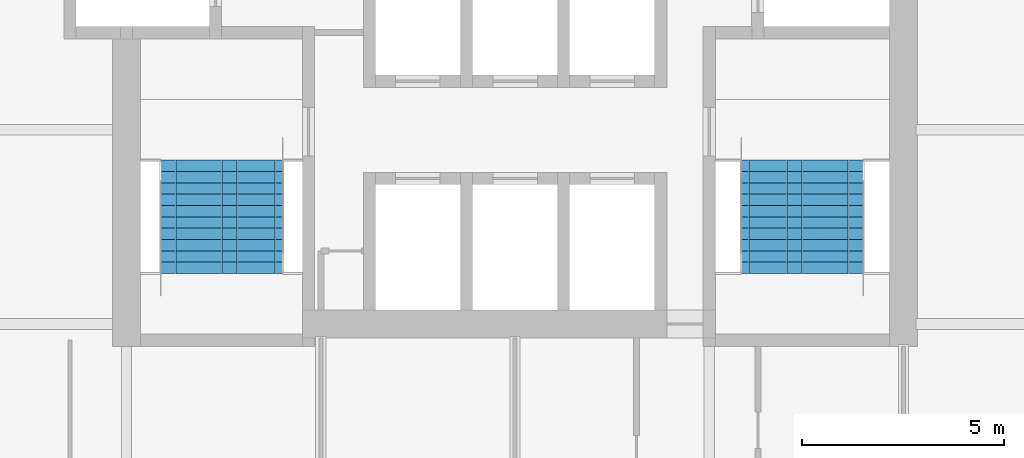
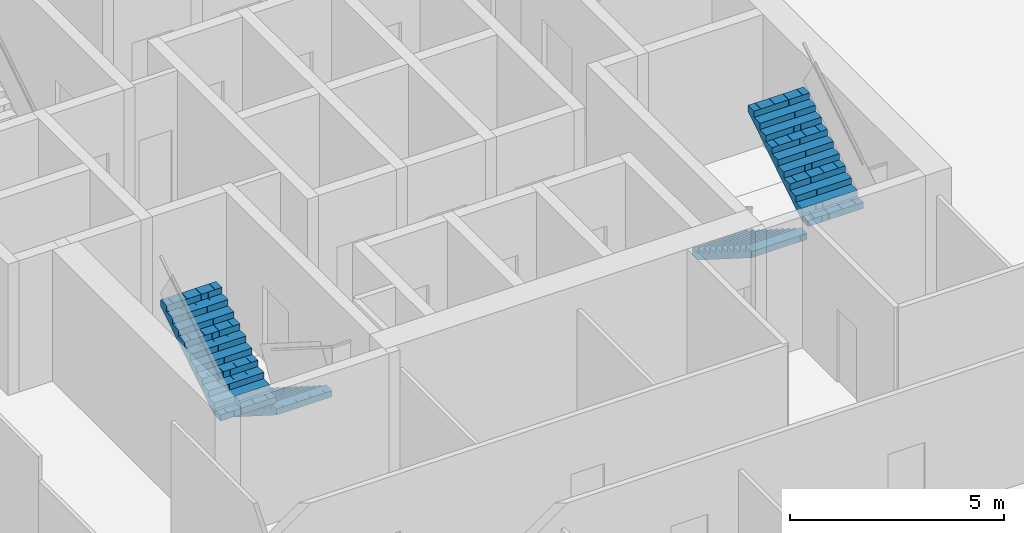
# One storey, part 12 of 15: 4 stair flights, 2 elements without a shape of their own.
"""IFC4 building model written with IfcOpenShell, lengths in metres."""

from ifc_helpers import new_model, si_unit, direction, frame, origin, place, context, subcontext, project, spatial, polyline, outline, extrude, material, type_object, element, aggregate, save


model = new_model("IFC4")

# Units and contexts
model_context = context("Model", 3, precision=1e-05, world=origin(), true_north=direction((0.0, 1.0)))
body_context = subcontext(model_context, "Body", "Model", "MODEL_VIEW")
ifc_project = project(units=[si_unit("LENGTHUNIT", "METRE"), si_unit("AREAUNIT", "SQUARE_METRE"), si_unit("VOLUMEUNIT", "CUBIC_METRE"), si_unit("PLANEANGLEUNIT", "RADIAN"), si_unit("MASSUNIT", "GRAM", prefix="KILO")], contexts=[model_context])

# Site, building, storey
site_placement = place(None, origin())
site = spatial("IfcSite", under=ifc_project, at=site_placement, CompositionType="ELEMENT")
building_placement = place(site_placement, origin())
building = spatial("IfcBuilding", under=site, at=building_placement, Name="Kolab Exchange Tower", CompositionType="ELEMENT")
storey_placement = place(building_placement, frame((0.0, 0.0, 205.10009765625)))
storey = spatial("IfcBuildingStorey", under=building, at=storey_placement, Name="L44", CompositionType="ELEMENT", Elevation=205.10009765625)

# Stair, stair flights
ifc_material = material(Name="Concrete C50/60", Category="concrete")
stair_type_1 = type_object("IfcStairType", Name="STAIR ST3 RISER 177.3", PredefinedType="HALF_TURN_STAIR", material=ifc_material)
stair_1_placement = place(storey_placement, origin())
stair_1 = element("IfcStair", 1, at=stair_1_placement, inside=storey, type_object=stair_type_1, Name="Stair 3", PredefinedType="HALF_TURN_STAIR")
stair_flight_type = type_object("IfcStairFlightType", Name="STAIR FLIGHT 1500 RISER 177.3", PredefinedType="STRAIGHT", material=ifc_material)
stair_flight_1_placement = place(storey_placement, frame((-6.489990234375, -5.550048828125, 0.0), z_axis=(0.0, 0.0, 1.0), x_axis=(0.0, -1.0, 0.0)))
stair_flight_1 = element("IfcStairFlight", 2, at=stair_flight_1_placement, type_object=stair_flight_type, Name="ST3 flight 1", NumberOfRisers=11, NumberOfTreads=10, PredefinedType="STRAIGHT", RiserHeight=0.177272727, TreadLength=0.28, context=body_context, shape_type="SweptSolid", body=[
    extrude(outline(polyline([(0.0, 0.0), (0.0, 0.17724609375), (0.280029296875, 0.17724609375), (0.280029296875, 0.3544921875), (0.56005859375, 0.3544921875), (0.56005859375, 0.53173828125), (0.840087890625, 0.53173828125), (0.840087890625, 0.708984375), (1.1201171875, 0.708984375), (1.1201171875, 0.886474609375), (1.39990234375, 0.886474609375), (1.39990234375, 1.063720703125), (1.679931640625, 1.063720703125), (1.679931640625, 1.240966796875), (1.9599609375, 1.240966796875), (1.9599609375, 1.418212890625), (2.239990234375, 1.418212890625), (2.239990234375, 1.595458984375), (2.52001953125, 1.595458984375), (2.52001953125, 1.772705078125), (2.800048828125, 1.772705078125), (2.800048828125, 1.949951171875), (2.800048828125, 1.59521484375), (0.2802734375, 0.0), (0.0, 0.0)])), frame((0.0, 0.75, 0.0), z_axis=(0.0, -1.0, 0.0), x_axis=(1.0, 0.0, 0.0)), (0.0, 0.0, 1.0), 0.185791015625),
    extrude(outline(polyline([(0.0, 0.0), (0.0, 0.17724609375), (0.280029296875, 0.17724609375), (0.280029296875, 0.3544921875), (0.56005859375, 0.3544921875), (0.56005859375, 0.53173828125), (0.840087890625, 0.53173828125), (0.840087890625, 0.708984375), (1.1201171875, 0.708984375), (1.1201171875, 0.886474609375), (1.39990234375, 0.886474609375), (1.39990234375, 1.063720703125), (1.679931640625, 1.063720703125), (1.679931640625, 1.240966796875), (1.9599609375, 1.240966796875), (1.9599609375, 1.418212890625), (2.239990234375, 1.418212890625), (2.239990234375, 1.595458984375), (2.52001953125, 1.595458984375), (2.52001953125, 1.772705078125), (2.800048828125, 1.772705078125), (2.800048828125, 1.949951171875), (2.800048828125, 1.59521484375), (0.2802734375, 0.0), (0.0, 0.0)])), frame((0.0, 0.562255859375, 0.0), z_axis=(0.0, -1.0, 0.0), x_axis=(1.0, 0.0, 0.0)), (0.0, 0.0, 1.0), 0.185791015625),
    extrude(outline(polyline([(0.0, 0.0), (0.0, 0.17724609375), (0.280029296875, 0.17724609375), (0.280029296875, 0.3544921875), (0.56005859375, 0.3544921875), (0.56005859375, 0.53173828125), (0.840087890625, 0.53173828125), (0.840087890625, 0.708984375), (1.1201171875, 0.708984375), (1.1201171875, 0.886474609375), (1.39990234375, 0.886474609375), (1.39990234375, 1.063720703125), (1.679931640625, 1.063720703125), (1.679931640625, 1.240966796875), (1.9599609375, 1.240966796875), (1.9599609375, 1.418212890625), (2.239990234375, 1.418212890625), (2.239990234375, 1.595458984375), (2.52001953125, 1.595458984375), (2.52001953125, 1.772705078125), (2.800048828125, 1.772705078125), (2.800048828125, 1.949951171875), (2.800048828125, 1.59521484375), (0.2802734375, 0.0), (0.0, 0.0)])), frame((0.0, 0.37451171875, 0.0), z_axis=(0.0, -1.0, 0.0), x_axis=(1.0, 0.0, 0.0)), (0.0, 0.0, 1.0), 0.185791015625),
    extrude(outline(polyline([(0.0, 0.0), (0.0, 0.17724609375), (0.280029296875, 0.17724609375), (0.280029296875, 0.3544921875), (0.56005859375, 0.3544921875), (0.56005859375, 0.53173828125), (0.840087890625, 0.53173828125), (0.840087890625, 0.708984375), (1.1201171875, 0.708984375), (1.1201171875, 0.886474609375), (1.39990234375, 0.886474609375), (1.39990234375, 1.063720703125), (1.679931640625, 1.063720703125), (1.679931640625, 1.240966796875), (1.9599609375, 1.240966796875), (1.9599609375, 1.418212890625), (2.239990234375, 1.418212890625), (2.239990234375, 1.595458984375), (2.52001953125, 1.595458984375), (2.52001953125, 1.772705078125), (2.800048828125, 1.772705078125), (2.800048828125, 1.949951171875), (2.800048828125, 1.59521484375), (0.2802734375, 0.0), (0.0, 0.0)])), frame((0.0, 0.186767578125, 0.0), z_axis=(0.0, -1.0, 0.0), x_axis=(1.0, 0.0, 0.0)), (0.0, 0.0, 1.0), 0.185791015625),
    extrude(outline(polyline([(0.0, 0.0), (0.0, 0.17724609375), (0.280029296875, 0.17724609375), (0.280029296875, 0.3544921875), (0.56005859375, 0.3544921875), (0.56005859375, 0.53173828125), (0.840087890625, 0.53173828125), (0.840087890625, 0.708984375), (1.1201171875, 0.708984375), (1.1201171875, 0.886474609375), (1.39990234375, 0.886474609375), (1.39990234375, 1.063720703125), (1.679931640625, 1.063720703125), (1.679931640625, 1.240966796875), (1.9599609375, 1.240966796875), (1.9599609375, 1.418212890625), (2.239990234375, 1.418212890625), (2.239990234375, 1.595458984375), (2.52001953125, 1.595458984375), (2.52001953125, 1.772705078125), (2.800048828125, 1.772705078125), (2.800048828125, 1.949951171875), (2.800048828125, 1.59521484375), (0.2802734375, 0.0), (0.0, 0.0)])), frame((0.0, -0.0009765625, 0.0), z_axis=(0.0, -1.0, 0.0), x_axis=(1.0, 0.0, 0.0)), (0.0, 0.0, 1.0), 0.185791015625),
    extrude(outline(polyline([(0.0, 0.0), (0.0, 0.17724609375), (0.280029296875, 0.17724609375), (0.280029296875, 0.3544921875), (0.56005859375, 0.3544921875), (0.56005859375, 0.53173828125), (0.840087890625, 0.53173828125), (0.840087890625, 0.708984375), (1.1201171875, 0.708984375), (1.1201171875, 0.886474609375), (1.39990234375, 0.886474609375), (1.39990234375, 1.063720703125), (1.679931640625, 1.063720703125), (1.679931640625, 1.240966796875), (1.9599609375, 1.240966796875), (1.9599609375, 1.418212890625), (2.239990234375, 1.418212890625), (2.239990234375, 1.595458984375), (2.52001953125, 1.595458984375), (2.52001953125, 1.772705078125), (2.800048828125, 1.772705078125), (2.800048828125, 1.949951171875), (2.800048828125, 1.59521484375), (0.2802734375, 0.0), (0.0, 0.0)])), frame((0.0, -0.188720703125, 0.0), z_axis=(0.0, -1.0, 0.0), x_axis=(1.0, 0.0, 0.0)), (0.0, 0.0, 1.0), 0.185791015625),
    extrude(outline(polyline([(0.0, 0.0), (0.0, 0.17724609375), (0.280029296875, 0.17724609375), (0.280029296875, 0.3544921875), (0.56005859375, 0.3544921875), (0.56005859375, 0.53173828125), (0.840087890625, 0.53173828125), (0.840087890625, 0.708984375), (1.1201171875, 0.708984375), (1.1201171875, 0.886474609375), (1.39990234375, 0.886474609375), (1.39990234375, 1.063720703125), (1.679931640625, 1.063720703125), (1.679931640625, 1.240966796875), (1.9599609375, 1.240966796875), (1.9599609375, 1.418212890625), (2.239990234375, 1.418212890625), (2.239990234375, 1.595458984375), (2.52001953125, 1.595458984375), (2.52001953125, 1.772705078125), (2.800048828125, 1.772705078125), (2.800048828125, 1.949951171875), (2.800048828125, 1.59521484375), (0.2802734375, 0.0), (0.0, 0.0)])), frame((0.0, -0.37646484375, 0.0), z_axis=(0.0, -1.0, 0.0), x_axis=(1.0, 0.0, 0.0)), (0.0, 0.0, 1.0), 0.185791015625),
    extrude(outline(polyline([(0.0, 0.0), (0.0, 0.17724609375), (0.280029296875, 0.17724609375), (0.280029296875, 0.3544921875), (0.56005859375, 0.3544921875), (0.56005859375, 0.53173828125), (0.840087890625, 0.53173828125), (0.840087890625, 0.708984375), (1.1201171875, 0.708984375), (1.1201171875, 0.886474609375), (1.39990234375, 0.886474609375), (1.39990234375, 1.063720703125), (1.679931640625, 1.063720703125), (1.679931640625, 1.240966796875), (1.9599609375, 1.240966796875), (1.9599609375, 1.418212890625), (2.239990234375, 1.418212890625), (2.239990234375, 1.595458984375), (2.52001953125, 1.595458984375), (2.52001953125, 1.772705078125), (2.800048828125, 1.772705078125), (2.800048828125, 1.949951171875), (2.800048828125, 1.59521484375), (0.2802734375, 0.0), (0.0, 0.0)])), frame((0.0, -0.564208984375, 0.0), z_axis=(0.0, -1.0, 0.0), x_axis=(1.0, 0.0, 0.0)), (0.0, 0.0, 1.0), 0.185791015625),
])
stair_flight_2_placement = place(storey_placement, frame((-8.010009765625, -8.35009765625, 1.949951171875), z_axis=(0.0, 0.0, 1.0), x_axis=(0.0, 1.0, 0.0)))
stair_flight_2 = element("IfcStairFlight", 3, at=stair_flight_2_placement, type_object=stair_flight_type, Name="ST3 flight 2", NumberOfRisers=11, NumberOfTreads=10, PredefinedType="STRAIGHT", RiserHeight=0.177272727, TreadLength=0.28, context=body_context, shape_type="SweptSolid", body=[
    extrude(outline(polyline([(0.0, 0.0), (0.0, 0.17724609375), (0.280029296875, 0.17724609375), (0.280029296875, 0.3544921875), (0.56005859375, 0.3544921875), (0.56005859375, 0.53173828125), (0.840087890625, 0.53173828125), (0.840087890625, 0.708984375), (1.1201171875, 0.708984375), (1.1201171875, 0.886474609375), (1.39990234375, 0.886474609375), (1.39990234375, 1.063720703125), (1.679931640625, 1.063720703125), (1.679931640625, 1.240966796875), (1.9599609375, 1.240966796875), (1.9599609375, 1.418212890625), (2.239990234375, 1.418212890625), (2.239990234375, 1.595458984375), (2.52001953125, 1.595458984375), (2.52001953125, 1.772705078125), (2.800048828125, 1.772705078125), (2.800048828125, 1.949951171875), (2.800048828125, 1.59521484375), (0.2802734375, 0.0), (0.0, 0.0)])), frame((0.0, 0.75, 0.0), z_axis=(0.0, -1.0, 0.0), x_axis=(1.0, 0.0, 0.0)), (0.0, 0.0, 1.0), 0.185791015625),
    extrude(outline(polyline([(0.0, 0.0), (0.0, 0.17724609375), (0.280029296875, 0.17724609375), (0.280029296875, 0.3544921875), (0.56005859375, 0.3544921875), (0.56005859375, 0.53173828125), (0.840087890625, 0.53173828125), (0.840087890625, 0.708984375), (1.1201171875, 0.708984375), (1.1201171875, 0.886474609375), (1.39990234375, 0.886474609375), (1.39990234375, 1.063720703125), (1.679931640625, 1.063720703125), (1.679931640625, 1.240966796875), (1.9599609375, 1.240966796875), (1.9599609375, 1.418212890625), (2.239990234375, 1.418212890625), (2.239990234375, 1.595458984375), (2.52001953125, 1.595458984375), (2.52001953125, 1.772705078125), (2.800048828125, 1.772705078125), (2.800048828125, 1.949951171875), (2.800048828125, 1.59521484375), (0.2802734375, 0.0), (0.0, 0.0)])), frame((0.0, 0.562255859375, 0.0), z_axis=(0.0, -1.0, 0.0), x_axis=(1.0, 0.0, 0.0)), (0.0, 0.0, 1.0), 0.185791015625),
    extrude(outline(polyline([(0.0, 0.0), (0.0, 0.17724609375), (0.280029296875, 0.17724609375), (0.280029296875, 0.3544921875), (0.56005859375, 0.3544921875), (0.56005859375, 0.53173828125), (0.840087890625, 0.53173828125), (0.840087890625, 0.708984375), (1.1201171875, 0.708984375), (1.1201171875, 0.886474609375), (1.39990234375, 0.886474609375), (1.39990234375, 1.063720703125), (1.679931640625, 1.063720703125), (1.679931640625, 1.240966796875), (1.9599609375, 1.240966796875), (1.9599609375, 1.418212890625), (2.239990234375, 1.418212890625), (2.239990234375, 1.595458984375), (2.52001953125, 1.595458984375), (2.52001953125, 1.772705078125), (2.800048828125, 1.772705078125), (2.800048828125, 1.949951171875), (2.800048828125, 1.59521484375), (0.2802734375, 0.0), (0.0, 0.0)])), frame((0.0, 0.37451171875, 0.0), z_axis=(0.0, -1.0, 0.0), x_axis=(1.0, 0.0, 0.0)), (0.0, 0.0, 1.0), 0.185791015625),
    extrude(outline(polyline([(0.0, 0.0), (0.0, 0.17724609375), (0.280029296875, 0.17724609375), (0.280029296875, 0.3544921875), (0.56005859375, 0.3544921875), (0.56005859375, 0.53173828125), (0.840087890625, 0.53173828125), (0.840087890625, 0.708984375), (1.1201171875, 0.708984375), (1.1201171875, 0.886474609375), (1.39990234375, 0.886474609375), (1.39990234375, 1.063720703125), (1.679931640625, 1.063720703125), (1.679931640625, 1.240966796875), (1.9599609375, 1.240966796875), (1.9599609375, 1.418212890625), (2.239990234375, 1.418212890625), (2.239990234375, 1.595458984375), (2.52001953125, 1.595458984375), (2.52001953125, 1.772705078125), (2.800048828125, 1.772705078125), (2.800048828125, 1.949951171875), (2.800048828125, 1.59521484375), (0.2802734375, 0.0), (0.0, 0.0)])), frame((0.0, 0.186767578125, 0.0), z_axis=(0.0, -1.0, 0.0), x_axis=(1.0, 0.0, 0.0)), (0.0, 0.0, 1.0), 0.185791015625),
    extrude(outline(polyline([(0.0, 0.0), (0.0, 0.17724609375), (0.280029296875, 0.17724609375), (0.280029296875, 0.3544921875), (0.56005859375, 0.3544921875), (0.56005859375, 0.53173828125), (0.840087890625, 0.53173828125), (0.840087890625, 0.708984375), (1.1201171875, 0.708984375), (1.1201171875, 0.886474609375), (1.39990234375, 0.886474609375), (1.39990234375, 1.063720703125), (1.679931640625, 1.063720703125), (1.679931640625, 1.240966796875), (1.9599609375, 1.240966796875), (1.9599609375, 1.418212890625), (2.239990234375, 1.418212890625), (2.239990234375, 1.595458984375), (2.52001953125, 1.595458984375), (2.52001953125, 1.772705078125), (2.800048828125, 1.772705078125), (2.800048828125, 1.949951171875), (2.800048828125, 1.59521484375), (0.2802734375, 0.0), (0.0, 0.0)])), frame((0.0, -0.0009765625, 0.0), z_axis=(0.0, -1.0, 0.0), x_axis=(1.0, 0.0, 0.0)), (0.0, 0.0, 1.0), 0.185791015625),
    extrude(outline(polyline([(0.0, 0.0), (0.0, 0.17724609375), (0.280029296875, 0.17724609375), (0.280029296875, 0.3544921875), (0.56005859375, 0.3544921875), (0.56005859375, 0.53173828125), (0.840087890625, 0.53173828125), (0.840087890625, 0.708984375), (1.1201171875, 0.708984375), (1.1201171875, 0.886474609375), (1.39990234375, 0.886474609375), (1.39990234375, 1.063720703125), (1.679931640625, 1.063720703125), (1.679931640625, 1.240966796875), (1.9599609375, 1.240966796875), (1.9599609375, 1.418212890625), (2.239990234375, 1.418212890625), (2.239990234375, 1.595458984375), (2.52001953125, 1.595458984375), (2.52001953125, 1.772705078125), (2.800048828125, 1.772705078125), (2.800048828125, 1.949951171875), (2.800048828125, 1.59521484375), (0.2802734375, 0.0), (0.0, 0.0)])), frame((0.0, -0.188720703125, 0.0), z_axis=(0.0, -1.0, 0.0), x_axis=(1.0, 0.0, 0.0)), (0.0, 0.0, 1.0), 0.185791015625),
    extrude(outline(polyline([(0.0, 0.0), (0.0, 0.17724609375), (0.280029296875, 0.17724609375), (0.280029296875, 0.3544921875), (0.56005859375, 0.3544921875), (0.56005859375, 0.53173828125), (0.840087890625, 0.53173828125), (0.840087890625, 0.708984375), (1.1201171875, 0.708984375), (1.1201171875, 0.886474609375), (1.39990234375, 0.886474609375), (1.39990234375, 1.063720703125), (1.679931640625, 1.063720703125), (1.679931640625, 1.240966796875), (1.9599609375, 1.240966796875), (1.9599609375, 1.418212890625), (2.239990234375, 1.418212890625), (2.239990234375, 1.595458984375), (2.52001953125, 1.595458984375), (2.52001953125, 1.772705078125), (2.800048828125, 1.772705078125), (2.800048828125, 1.949951171875), (2.800048828125, 1.59521484375), (0.2802734375, 0.0), (0.0, 0.0)])), frame((0.0, -0.37646484375, 0.0), z_axis=(0.0, -1.0, 0.0), x_axis=(1.0, 0.0, 0.0)), (0.0, 0.0, 1.0), 0.185791015625),
    extrude(outline(polyline([(0.0, 0.0), (0.0, 0.17724609375), (0.280029296875, 0.17724609375), (0.280029296875, 0.3544921875), (0.56005859375, 0.3544921875), (0.56005859375, 0.53173828125), (0.840087890625, 0.53173828125), (0.840087890625, 0.708984375), (1.1201171875, 0.708984375), (1.1201171875, 0.886474609375), (1.39990234375, 0.886474609375), (1.39990234375, 1.063720703125), (1.679931640625, 1.063720703125), (1.679931640625, 1.240966796875), (1.9599609375, 1.240966796875), (1.9599609375, 1.418212890625), (2.239990234375, 1.418212890625), (2.239990234375, 1.595458984375), (2.52001953125, 1.595458984375), (2.52001953125, 1.772705078125), (2.800048828125, 1.772705078125), (2.800048828125, 1.949951171875), (2.800048828125, 1.59521484375), (0.2802734375, 0.0), (0.0, 0.0)])), frame((0.0, -0.564208984375, 0.0), z_axis=(0.0, -1.0, 0.0), x_axis=(1.0, 0.0, 0.0)), (0.0, 0.0, 1.0), 0.185791015625),
])
aggregate(stair_1, [stair_flight_1, stair_flight_2])

stair_type_2 = type_object("IfcStairType", Name="STAIR ST2 RISER 177.3", PredefinedType="HALF_TURN_STAIR", material=ifc_material)
stair_2_placement = place(storey_placement, origin())
stair_2 = element("IfcStair", 4, at=stair_2_placement, inside=storey, type_object=stair_type_2, Name="Stair 2", PredefinedType="HALF_TURN_STAIR")
stair_flight_3_placement = place(storey_placement, frame((6.340087890625, -5.550048828125, 0.0), z_axis=(0.0, 0.0, 1.0), x_axis=(0.0, -1.0, 0.0)))
stair_flight_3 = element("IfcStairFlight", 5, at=stair_flight_3_placement, type_object=stair_flight_type, Name="ST2 flight 1", NumberOfRisers=11, NumberOfTreads=10, PredefinedType="STRAIGHT", RiserHeight=0.177272727, TreadLength=0.28, context=body_context, shape_type="SweptSolid", body=[
    extrude(outline(polyline([(0.0, 0.0), (0.0, 0.17724609375), (0.280029296875, 0.17724609375), (0.280029296875, 0.3544921875), (0.56005859375, 0.3544921875), (0.56005859375, 0.53173828125), (0.840087890625, 0.53173828125), (0.840087890625, 0.708984375), (1.1201171875, 0.708984375), (1.1201171875, 0.886474609375), (1.39990234375, 0.886474609375), (1.39990234375, 1.063720703125), (1.679931640625, 1.063720703125), (1.679931640625, 1.240966796875), (1.9599609375, 1.240966796875), (1.9599609375, 1.418212890625), (2.239990234375, 1.418212890625), (2.239990234375, 1.595458984375), (2.52001953125, 1.595458984375), (2.52001953125, 1.772705078125), (2.800048828125, 1.772705078125), (2.800048828125, 1.949951171875), (2.800048828125, 1.59521484375), (0.2802734375, 0.0), (0.0, 0.0)])), frame((0.0, 0.75, 0.0), z_axis=(0.0, -1.0, 0.0), x_axis=(1.0, 0.0, 0.0)), (0.0, 0.0, 1.0), 0.185791015625),
    extrude(outline(polyline([(0.0, 0.0), (0.0, 0.17724609375), (0.280029296875, 0.17724609375), (0.280029296875, 0.3544921875), (0.56005859375, 0.3544921875), (0.56005859375, 0.53173828125), (0.840087890625, 0.53173828125), (0.840087890625, 0.708984375), (1.1201171875, 0.708984375), (1.1201171875, 0.886474609375), (1.39990234375, 0.886474609375), (1.39990234375, 1.063720703125), (1.679931640625, 1.063720703125), (1.679931640625, 1.240966796875), (1.9599609375, 1.240966796875), (1.9599609375, 1.418212890625), (2.239990234375, 1.418212890625), (2.239990234375, 1.595458984375), (2.52001953125, 1.595458984375), (2.52001953125, 1.772705078125), (2.800048828125, 1.772705078125), (2.800048828125, 1.949951171875), (2.800048828125, 1.59521484375), (0.2802734375, 0.0), (0.0, 0.0)])), frame((0.0, 0.562255859375, 0.0), z_axis=(0.0, -1.0, 0.0), x_axis=(1.0, 0.0, 0.0)), (0.0, 0.0, 1.0), 0.185791015625),
    extrude(outline(polyline([(0.0, 0.0), (0.0, 0.17724609375), (0.280029296875, 0.17724609375), (0.280029296875, 0.3544921875), (0.56005859375, 0.3544921875), (0.56005859375, 0.53173828125), (0.840087890625, 0.53173828125), (0.840087890625, 0.708984375), (1.1201171875, 0.708984375), (1.1201171875, 0.886474609375), (1.39990234375, 0.886474609375), (1.39990234375, 1.063720703125), (1.679931640625, 1.063720703125), (1.679931640625, 1.240966796875), (1.9599609375, 1.240966796875), (1.9599609375, 1.418212890625), (2.239990234375, 1.418212890625), (2.239990234375, 1.595458984375), (2.52001953125, 1.595458984375), (2.52001953125, 1.772705078125), (2.800048828125, 1.772705078125), (2.800048828125, 1.949951171875), (2.800048828125, 1.59521484375), (0.2802734375, 0.0), (0.0, 0.0)])), frame((0.0, 0.37451171875, 0.0), z_axis=(0.0, -1.0, 0.0), x_axis=(1.0, 0.0, 0.0)), (0.0, 0.0, 1.0), 0.185791015625),
    extrude(outline(polyline([(0.0, 0.0), (0.0, 0.17724609375), (0.280029296875, 0.17724609375), (0.280029296875, 0.3544921875), (0.56005859375, 0.3544921875), (0.56005859375, 0.53173828125), (0.840087890625, 0.53173828125), (0.840087890625, 0.708984375), (1.1201171875, 0.708984375), (1.1201171875, 0.886474609375), (1.39990234375, 0.886474609375), (1.39990234375, 1.063720703125), (1.679931640625, 1.063720703125), (1.679931640625, 1.240966796875), (1.9599609375, 1.240966796875), (1.9599609375, 1.418212890625), (2.239990234375, 1.418212890625), (2.239990234375, 1.595458984375), (2.52001953125, 1.595458984375), (2.52001953125, 1.772705078125), (2.800048828125, 1.772705078125), (2.800048828125, 1.949951171875), (2.800048828125, 1.59521484375), (0.2802734375, 0.0), (0.0, 0.0)])), frame((0.0, 0.186767578125, 0.0), z_axis=(0.0, -1.0, 0.0), x_axis=(1.0, 0.0, 0.0)), (0.0, 0.0, 1.0), 0.185791015625),
    extrude(outline(polyline([(0.0, 0.0), (0.0, 0.17724609375), (0.280029296875, 0.17724609375), (0.280029296875, 0.3544921875), (0.56005859375, 0.3544921875), (0.56005859375, 0.53173828125), (0.840087890625, 0.53173828125), (0.840087890625, 0.708984375), (1.1201171875, 0.708984375), (1.1201171875, 0.886474609375), (1.39990234375, 0.886474609375), (1.39990234375, 1.063720703125), (1.679931640625, 1.063720703125), (1.679931640625, 1.240966796875), (1.9599609375, 1.240966796875), (1.9599609375, 1.418212890625), (2.239990234375, 1.418212890625), (2.239990234375, 1.595458984375), (2.52001953125, 1.595458984375), (2.52001953125, 1.772705078125), (2.800048828125, 1.772705078125), (2.800048828125, 1.949951171875), (2.800048828125, 1.59521484375), (0.2802734375, 0.0), (0.0, 0.0)])), frame((0.0, -0.0009765625, 0.0), z_axis=(0.0, -1.0, 0.0), x_axis=(1.0, 0.0, 0.0)), (0.0, 0.0, 1.0), 0.185791015625),
    extrude(outline(polyline([(0.0, 0.0), (0.0, 0.17724609375), (0.280029296875, 0.17724609375), (0.280029296875, 0.3544921875), (0.56005859375, 0.3544921875), (0.56005859375, 0.53173828125), (0.840087890625, 0.53173828125), (0.840087890625, 0.708984375), (1.1201171875, 0.708984375), (1.1201171875, 0.886474609375), (1.39990234375, 0.886474609375), (1.39990234375, 1.063720703125), (1.679931640625, 1.063720703125), (1.679931640625, 1.240966796875), (1.9599609375, 1.240966796875), (1.9599609375, 1.418212890625), (2.239990234375, 1.418212890625), (2.239990234375, 1.595458984375), (2.52001953125, 1.595458984375), (2.52001953125, 1.772705078125), (2.800048828125, 1.772705078125), (2.800048828125, 1.949951171875), (2.800048828125, 1.59521484375), (0.2802734375, 0.0), (0.0, 0.0)])), frame((0.0, -0.188720703125, 0.0), z_axis=(0.0, -1.0, 0.0), x_axis=(1.0, 0.0, 0.0)), (0.0, 0.0, 1.0), 0.185791015625),
    extrude(outline(polyline([(0.0, 0.0), (0.0, 0.17724609375), (0.280029296875, 0.17724609375), (0.280029296875, 0.3544921875), (0.56005859375, 0.3544921875), (0.56005859375, 0.53173828125), (0.840087890625, 0.53173828125), (0.840087890625, 0.708984375), (1.1201171875, 0.708984375), (1.1201171875, 0.886474609375), (1.39990234375, 0.886474609375), (1.39990234375, 1.063720703125), (1.679931640625, 1.063720703125), (1.679931640625, 1.240966796875), (1.9599609375, 1.240966796875), (1.9599609375, 1.418212890625), (2.239990234375, 1.418212890625), (2.239990234375, 1.595458984375), (2.52001953125, 1.595458984375), (2.52001953125, 1.772705078125), (2.800048828125, 1.772705078125), (2.800048828125, 1.949951171875), (2.800048828125, 1.59521484375), (0.2802734375, 0.0), (0.0, 0.0)])), frame((0.0, -0.37646484375, 0.0), z_axis=(0.0, -1.0, 0.0), x_axis=(1.0, 0.0, 0.0)), (0.0, 0.0, 1.0), 0.185791015625),
    extrude(outline(polyline([(0.0, 0.0), (0.0, 0.17724609375), (0.280029296875, 0.17724609375), (0.280029296875, 0.3544921875), (0.56005859375, 0.3544921875), (0.56005859375, 0.53173828125), (0.840087890625, 0.53173828125), (0.840087890625, 0.708984375), (1.1201171875, 0.708984375), (1.1201171875, 0.886474609375), (1.39990234375, 0.886474609375), (1.39990234375, 1.063720703125), (1.679931640625, 1.063720703125), (1.679931640625, 1.240966796875), (1.9599609375, 1.240966796875), (1.9599609375, 1.418212890625), (2.239990234375, 1.418212890625), (2.239990234375, 1.595458984375), (2.52001953125, 1.595458984375), (2.52001953125, 1.772705078125), (2.800048828125, 1.772705078125), (2.800048828125, 1.949951171875), (2.800048828125, 1.59521484375), (0.2802734375, 0.0), (0.0, 0.0)])), frame((0.0, -0.564208984375, 0.0), z_axis=(0.0, -1.0, 0.0), x_axis=(1.0, 0.0, 0.0)), (0.0, 0.0, 1.0), 0.185791015625),
])
stair_flight_4_placement = place(storey_placement, frame((7.860107421875, -8.35009765625, 1.949951171875), z_axis=(0.0, 0.0, 1.0), x_axis=(0.0, 1.0, 0.0)))
stair_flight_4 = element("IfcStairFlight", 6, at=stair_flight_4_placement, type_object=stair_flight_type, Name="ST2 flight 2", NumberOfRisers=11, NumberOfTreads=10, PredefinedType="STRAIGHT", RiserHeight=0.177272727, TreadLength=0.28, context=body_context, shape_type="SweptSolid", body=[
    extrude(outline(polyline([(0.0, 0.0), (0.0, 0.17724609375), (0.280029296875, 0.17724609375), (0.280029296875, 0.3544921875), (0.56005859375, 0.3544921875), (0.56005859375, 0.53173828125), (0.840087890625, 0.53173828125), (0.840087890625, 0.708984375), (1.1201171875, 0.708984375), (1.1201171875, 0.886474609375), (1.39990234375, 0.886474609375), (1.39990234375, 1.063720703125), (1.679931640625, 1.063720703125), (1.679931640625, 1.240966796875), (1.9599609375, 1.240966796875), (1.9599609375, 1.418212890625), (2.239990234375, 1.418212890625), (2.239990234375, 1.595458984375), (2.52001953125, 1.595458984375), (2.52001953125, 1.772705078125), (2.800048828125, 1.772705078125), (2.800048828125, 1.949951171875), (2.800048828125, 1.59521484375), (0.2802734375, 0.0), (0.0, 0.0)])), frame((0.0, 0.75, 0.0), z_axis=(0.0, -1.0, 0.0), x_axis=(1.0, 0.0, 0.0)), (0.0, 0.0, 1.0), 0.185791015625),
    extrude(outline(polyline([(0.0, 0.0), (0.0, 0.17724609375), (0.280029296875, 0.17724609375), (0.280029296875, 0.3544921875), (0.56005859375, 0.3544921875), (0.56005859375, 0.53173828125), (0.840087890625, 0.53173828125), (0.840087890625, 0.708984375), (1.1201171875, 0.708984375), (1.1201171875, 0.886474609375), (1.39990234375, 0.886474609375), (1.39990234375, 1.063720703125), (1.679931640625, 1.063720703125), (1.679931640625, 1.240966796875), (1.9599609375, 1.240966796875), (1.9599609375, 1.418212890625), (2.239990234375, 1.418212890625), (2.239990234375, 1.595458984375), (2.52001953125, 1.595458984375), (2.52001953125, 1.772705078125), (2.800048828125, 1.772705078125), (2.800048828125, 1.949951171875), (2.800048828125, 1.59521484375), (0.2802734375, 0.0), (0.0, 0.0)])), frame((0.0, 0.562255859375, 0.0), z_axis=(0.0, -1.0, 0.0), x_axis=(1.0, 0.0, 0.0)), (0.0, 0.0, 1.0), 0.185791015625),
    extrude(outline(polyline([(0.0, 0.0), (0.0, 0.17724609375), (0.280029296875, 0.17724609375), (0.280029296875, 0.3544921875), (0.56005859375, 0.3544921875), (0.56005859375, 0.53173828125), (0.840087890625, 0.53173828125), (0.840087890625, 0.708984375), (1.1201171875, 0.708984375), (1.1201171875, 0.886474609375), (1.39990234375, 0.886474609375), (1.39990234375, 1.063720703125), (1.679931640625, 1.063720703125), (1.679931640625, 1.240966796875), (1.9599609375, 1.240966796875), (1.9599609375, 1.418212890625), (2.239990234375, 1.418212890625), (2.239990234375, 1.595458984375), (2.52001953125, 1.595458984375), (2.52001953125, 1.772705078125), (2.800048828125, 1.772705078125), (2.800048828125, 1.949951171875), (2.800048828125, 1.59521484375), (0.2802734375, 0.0), (0.0, 0.0)])), frame((0.0, 0.37451171875, 0.0), z_axis=(0.0, -1.0, 0.0), x_axis=(1.0, 0.0, 0.0)), (0.0, 0.0, 1.0), 0.185791015625),
    extrude(outline(polyline([(0.0, 0.0), (0.0, 0.17724609375), (0.280029296875, 0.17724609375), (0.280029296875, 0.3544921875), (0.56005859375, 0.3544921875), (0.56005859375, 0.53173828125), (0.840087890625, 0.53173828125), (0.840087890625, 0.708984375), (1.1201171875, 0.708984375), (1.1201171875, 0.886474609375), (1.39990234375, 0.886474609375), (1.39990234375, 1.063720703125), (1.679931640625, 1.063720703125), (1.679931640625, 1.240966796875), (1.9599609375, 1.240966796875), (1.9599609375, 1.418212890625), (2.239990234375, 1.418212890625), (2.239990234375, 1.595458984375), (2.52001953125, 1.595458984375), (2.52001953125, 1.772705078125), (2.800048828125, 1.772705078125), (2.800048828125, 1.949951171875), (2.800048828125, 1.59521484375), (0.2802734375, 0.0), (0.0, 0.0)])), frame((0.0, 0.186767578125, 0.0), z_axis=(0.0, -1.0, 0.0), x_axis=(1.0, 0.0, 0.0)), (0.0, 0.0, 1.0), 0.185791015625),
    extrude(outline(polyline([(0.0, 0.0), (0.0, 0.17724609375), (0.280029296875, 0.17724609375), (0.280029296875, 0.3544921875), (0.56005859375, 0.3544921875), (0.56005859375, 0.53173828125), (0.840087890625, 0.53173828125), (0.840087890625, 0.708984375), (1.1201171875, 0.708984375), (1.1201171875, 0.886474609375), (1.39990234375, 0.886474609375), (1.39990234375, 1.063720703125), (1.679931640625, 1.063720703125), (1.679931640625, 1.240966796875), (1.9599609375, 1.240966796875), (1.9599609375, 1.418212890625), (2.239990234375, 1.418212890625), (2.239990234375, 1.595458984375), (2.52001953125, 1.595458984375), (2.52001953125, 1.772705078125), (2.800048828125, 1.772705078125), (2.800048828125, 1.949951171875), (2.800048828125, 1.59521484375), (0.2802734375, 0.0), (0.0, 0.0)])), frame((0.0, -0.0009765625, 0.0), z_axis=(0.0, -1.0, 0.0), x_axis=(1.0, 0.0, 0.0)), (0.0, 0.0, 1.0), 0.185791015625),
    extrude(outline(polyline([(0.0, 0.0), (0.0, 0.17724609375), (0.280029296875, 0.17724609375), (0.280029296875, 0.3544921875), (0.56005859375, 0.3544921875), (0.56005859375, 0.53173828125), (0.840087890625, 0.53173828125), (0.840087890625, 0.708984375), (1.1201171875, 0.708984375), (1.1201171875, 0.886474609375), (1.39990234375, 0.886474609375), (1.39990234375, 1.063720703125), (1.679931640625, 1.063720703125), (1.679931640625, 1.240966796875), (1.9599609375, 1.240966796875), (1.9599609375, 1.418212890625), (2.239990234375, 1.418212890625), (2.239990234375, 1.595458984375), (2.52001953125, 1.595458984375), (2.52001953125, 1.772705078125), (2.800048828125, 1.772705078125), (2.800048828125, 1.949951171875), (2.800048828125, 1.59521484375), (0.2802734375, 0.0), (0.0, 0.0)])), frame((0.0, -0.188720703125, 0.0), z_axis=(0.0, -1.0, 0.0), x_axis=(1.0, 0.0, 0.0)), (0.0, 0.0, 1.0), 0.185791015625),
    extrude(outline(polyline([(0.0, 0.0), (0.0, 0.17724609375), (0.280029296875, 0.17724609375), (0.280029296875, 0.3544921875), (0.56005859375, 0.3544921875), (0.56005859375, 0.53173828125), (0.840087890625, 0.53173828125), (0.840087890625, 0.708984375), (1.1201171875, 0.708984375), (1.1201171875, 0.886474609375), (1.39990234375, 0.886474609375), (1.39990234375, 1.063720703125), (1.679931640625, 1.063720703125), (1.679931640625, 1.240966796875), (1.9599609375, 1.240966796875), (1.9599609375, 1.418212890625), (2.239990234375, 1.418212890625), (2.239990234375, 1.595458984375), (2.52001953125, 1.595458984375), (2.52001953125, 1.772705078125), (2.800048828125, 1.772705078125), (2.800048828125, 1.949951171875), (2.800048828125, 1.59521484375), (0.2802734375, 0.0), (0.0, 0.0)])), frame((0.0, -0.37646484375, 0.0), z_axis=(0.0, -1.0, 0.0), x_axis=(1.0, 0.0, 0.0)), (0.0, 0.0, 1.0), 0.185791015625),
    extrude(outline(polyline([(0.0, 0.0), (0.0, 0.17724609375), (0.280029296875, 0.17724609375), (0.280029296875, 0.3544921875), (0.56005859375, 0.3544921875), (0.56005859375, 0.53173828125), (0.840087890625, 0.53173828125), (0.840087890625, 0.708984375), (1.1201171875, 0.708984375), (1.1201171875, 0.886474609375), (1.39990234375, 0.886474609375), (1.39990234375, 1.063720703125), (1.679931640625, 1.063720703125), (1.679931640625, 1.240966796875), (1.9599609375, 1.240966796875), (1.9599609375, 1.418212890625), (2.239990234375, 1.418212890625), (2.239990234375, 1.595458984375), (2.52001953125, 1.595458984375), (2.52001953125, 1.772705078125), (2.800048828125, 1.772705078125), (2.800048828125, 1.949951171875), (2.800048828125, 1.59521484375), (0.2802734375, 0.0), (0.0, 0.0)])), frame((0.0, -0.564208984375, 0.0), z_axis=(0.0, -1.0, 0.0), x_axis=(1.0, 0.0, 0.0)), (0.0, 0.0, 1.0), 0.185791015625),
])
aggregate(stair_2, [stair_flight_3, stair_flight_4])

save(model, "model.ifc")
